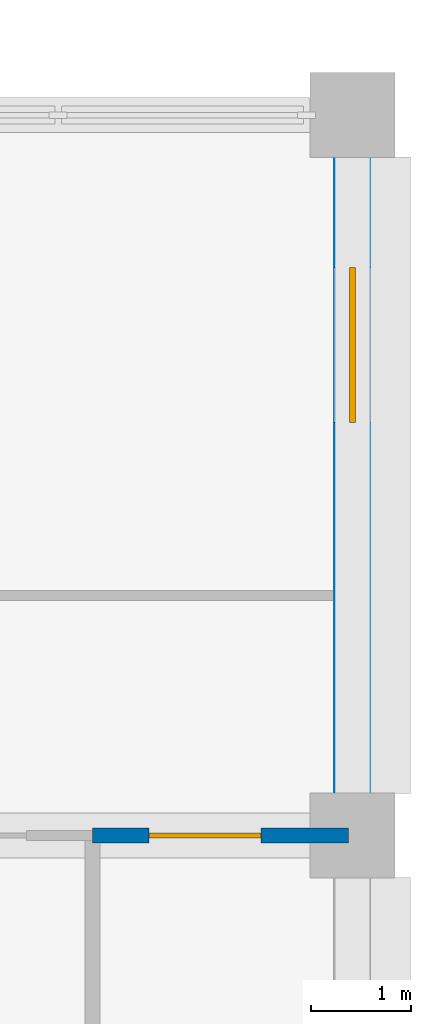
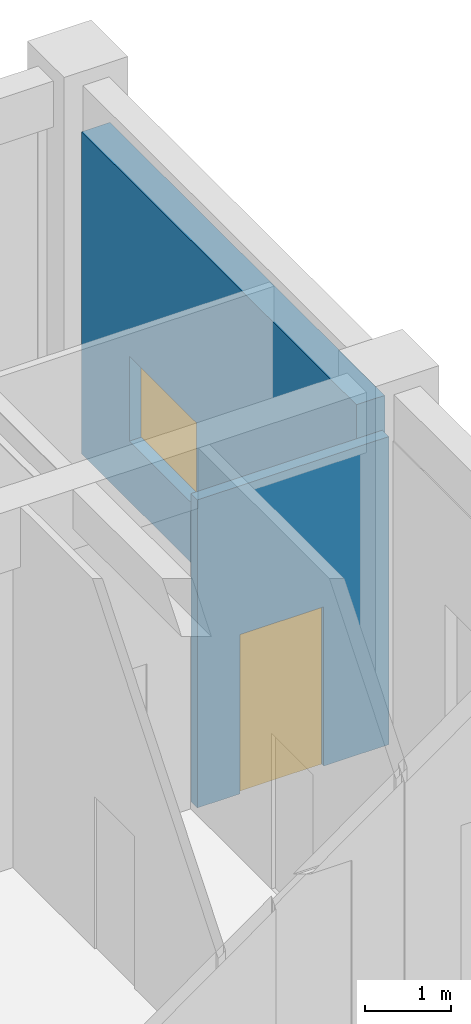
# One storey, part 50 of 58: 2 walls, 1 door, 1 window, 2 openings.
"""IFC4 building model written with IfcOpenShell, lengths in metres."""

from ifc_helpers import new_model, si_unit, direction, frame, frame_2d, origin, place, context, subcontext, project, spatial, rectangle, extrude, material, layer, layer_set, type_object, element, fill, save


model = new_model("IFC4")

# Units and contexts
model_context = context("Model", 3, precision=1e-05, world=origin(), true_north=direction((0.0, 1.0)))
body_context = subcontext(model_context, "Body", "Model", "MODEL_VIEW")
ifc_project = project(units=[si_unit("LENGTHUNIT", "METRE"), si_unit("AREAUNIT", "SQUARE_METRE"), si_unit("VOLUMEUNIT", "CUBIC_METRE"), si_unit("PLANEANGLEUNIT", "RADIAN"), si_unit("MASSUNIT", "GRAM", prefix="KILO")], contexts=[model_context])

# Site, building, storey
site_placement = place(None, origin())
site = spatial("IfcSite", under=ifc_project, at=site_placement, CompositionType="ELEMENT")
building_placement = place(site_placement, origin())
building = spatial("IfcBuilding", under=site, at=building_placement, Name="Chengyuan Square Courthouse", CompositionType="ELEMENT")
storey_placement = place(building_placement, frame((0.0, 0.0, 16.199951171875)))
storey = spatial("IfcBuildingStorey", under=building, at=storey_placement, Name="L04", CompositionType="ELEMENT", Elevation=16.199951171875)

# Wall, opening, window
ifc_material_1 = material(Name="Concrete C40", Category="concrete")
ifc_layer_1 = layer(ifc_material_1, 0.3798828125)
ifc_layer_set_1 = layer_set([ifc_layer_1], Name="Concrete C40")
wall_type_1 = type_object("IfcWallType", Name="WL-EW1", PredefinedType="STANDARD", material=ifc_layer_set_1)
wall_1_placement = place(storey_placement, frame((168.0, 101.219970703125, 0.0), z_axis=(0.0, 0.0, 1.0), x_axis=(0.0, 1.0, 0.0)))
wall_1 = element("IfcWall", 1, at=wall_1_placement, inside=storey, type_object=wall_type_1, Name="Exterior Wall WL-L04-E338", PredefinedType="STANDARD", context=body_context, shape_type="SweptSolid", body=[
    extrude(rectangle(XDim=6.360107421875, YDim=0.3798828125, at=frame_2d((3.18017578125, 0.0))), origin(), (0.0, 0.0, 1.0), 4.550048828125),
])
opening_1_placement = place(wall_1_placement, frame((3.705078125, 0.0, 0.85009765625)))
opening_1 = element("IfcOpeningElement", 2, at=opening_1_placement, cuts=wall_1, Name="Opening WN-110", PredefinedType="OPENING", context=body_context, shape_type="SweptSolid", body=[
    extrude(rectangle(XDim=1.550048828125, YDim=1.199951171875, at=frame_2d((0.77490234375, 0.60009765625))), frame((0.0, 0.201904296875, 0.0), z_axis=(0.0, -1.0, 0.0), x_axis=(1.0, 0.0, 0.0)), (0.0, 0.0, 1.0), 0.40380859375),
])
ifc_material_2 = material(Name="Thermally Broken Aluminium Triple Low-E Window", Category="aluminium")
window_type = type_object("IfcWindowType", Name="WT-25", PartitioningType="SINGLE_PANEL", PredefinedType="WINDOW", material=ifc_material_2)
window_placement = place(opening_1_placement, origin())
window = element("IfcWindow", 3, at=window_placement, inside=storey, type_object=window_type, Name="Facade Window WN-110", OverallHeight=1.199951171875, OverallWidth=1.550048828125, PartitioningType="SINGLE_PANEL", PredefinedType="WINDOW", context=body_context, shape_type="SweptSolid", body=[
    extrude(rectangle(XDim=1.550048828125, YDim=1.199951171875, at=frame_2d((0.77490234375, 0.60009765625))), frame((0.0, 0.030029296875, 0.0), z_axis=(0.0, -1.0, 0.0), x_axis=(1.0, 0.0, 0.0)), (0.0, 0.0, 1.0), 0.06005859375),
])
fill(opening_1, window)

# Wall, opening, door
ifc_material_3 = material(Name="Deliberation Room Sound-Insulated Partition")
ifc_layer_2 = layer(ifc_material_3, 0.14990234375)
ifc_layer_set_2 = layer_set([ifc_layer_2], Name="Deliberation Room Sound-Insulated Partition")
wall_type_2 = type_object("IfcWallType", Name="WL-PT3", PredefinedType="STANDARD", material=ifc_layer_set_2)
wall_2_placement = place(storey_placement, frame((165.39990234375, 100.800048828125, 0.0), z_axis=(0.0, 0.0, 1.0), x_axis=(1.0, 0.0, 0.0)))
wall_2 = element("IfcWall", 4, at=wall_2_placement, inside=storey, type_object=wall_type_2, Name="Interior Wall WL-L04-I1858", PredefinedType="STANDARD", context=body_context, shape_type="SweptSolid", body=[
    extrude(rectangle(XDim=2.56005859375, YDim=0.14990234375, at=frame_2d((1.280029296875, 0.0))), origin(), (0.0, 0.0, 1.0), 4.35009765625),
])
opening_2_placement = place(wall_2_placement, frame((0.5673828125, 0.0, 0.0)))
opening_2 = element("IfcOpeningElement", 5, at=opening_2_placement, cuts=wall_2, Name="Opening DR-1737", PredefinedType="OPENING", context=body_context, shape_type="SweptSolid", body=[
    extrude(rectangle(XDim=1.1201171875, YDim=2.25, at=frame_2d((0.56005859375, 1.125))), frame((0.0, 0.0869140625, 0.0), z_axis=(0.0, -1.0, 0.0), x_axis=(1.0, 0.0, 0.0)), (0.0, 0.0, 1.0), 0.173828125),
])
ifc_material_4 = material(Name="Acoustic Solid-Core Timber Door", Category="wood")
door_type = type_object("IfcDoorType", Name="DT-34", OperationType="NOTDEFINED", PredefinedType="DOOR", material=ifc_material_4)
door_placement = place(opening_2_placement, origin())
door = element("IfcDoor", 6, at=door_placement, inside=storey, type_object=door_type, Name="Interior Door DR-1737", OperationType="SINGLE_SWING_RIGHT", OverallHeight=2.25, OverallWidth=1.1201171875, PredefinedType="DOOR", context=body_context, shape_type="SweptSolid", body=[
    extrude(rectangle(XDim=1.1201171875, YDim=2.25, at=frame_2d((0.56005859375, 1.125))), frame((0.0, 0.02490234375, 0.0), z_axis=(0.0, -1.0, 0.0), x_axis=(1.0, 0.0, 0.0)), (0.0, 0.0, 1.0), 0.050048828125),
])
fill(opening_2, door)

save(model, "model.ifc")
